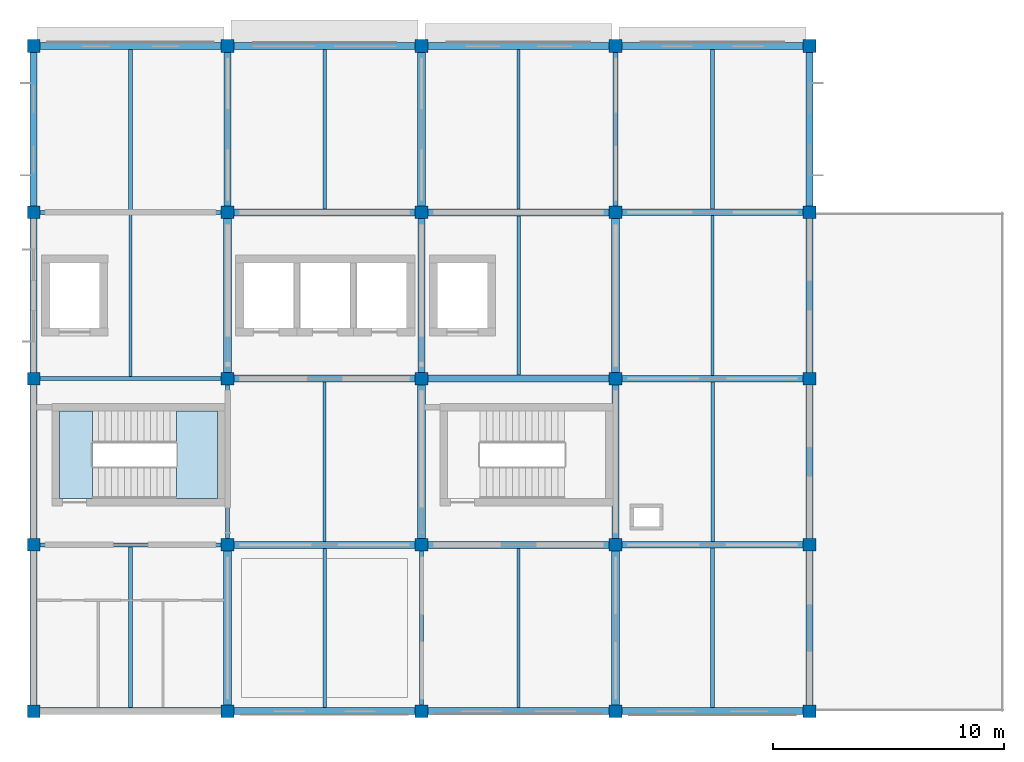
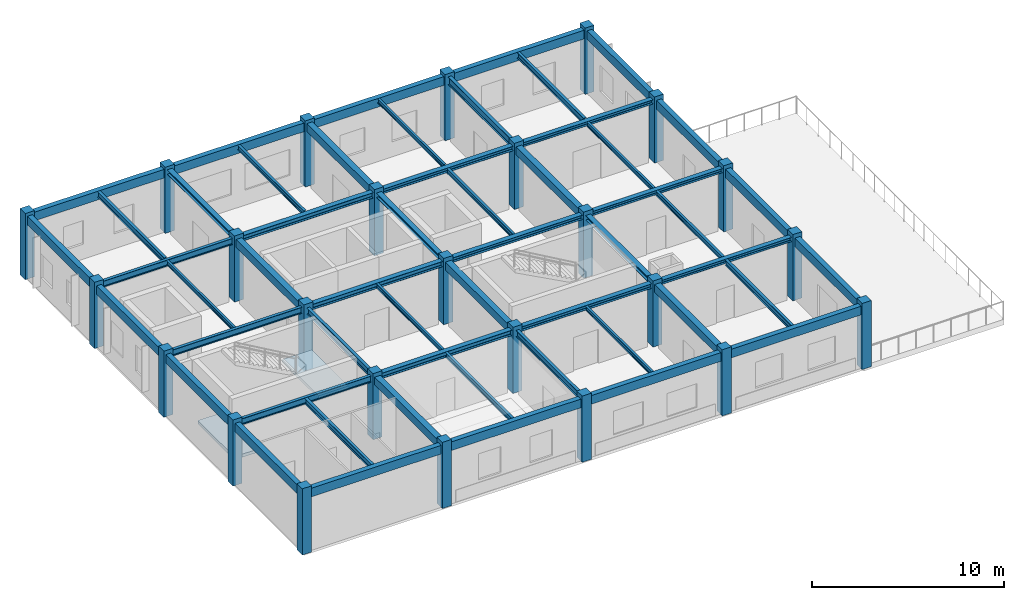
# One storey, part 1 of 6: 53 beams, 25 columns, 2 slabs, 1 element without a shape of its own.
"""IFC4 building model written with IfcOpenShell, lengths in metres."""

import ifcopenshell
import ifcopenshell.guid

model = None  # the IFC model being written
_history = None  # IfcOwnerHistory: only IFC2X3 demands one
_inside = {}  # id of a spatial element -> (the spatial element, [elements in it])
_under = {}  # id of a project, library or spatial element -> (it, [spatial elements below it])
_declared = {}  # id of a project -> (the project, [libraries it declares])
_typed = {}  # id of a type object -> (the type object, [elements of that type])
_made_of = {}  # id of a material, layer set ... -> (it, [elements and type objects made of it])


def new_model(schema):
    """Start an empty IFC model of exactly this schema.

    Asked for "IFC4X3", IfcOpenShell would pick the latest addendum, in which some entities
    have other attributes; the version numbers below select the first issue.
    IFC2X3 requires an IfcOwnerHistory on every rooted entity: one is made here for all.
    """
    global model, _history
    if schema == "IFC4X3":
        model = ifcopenshell.file(schema_version=(4, 3, 0, 0))
    else:
        model = ifcopenshell.file(schema=schema)
    _inside.clear()
    _under.clear()
    _declared.clear()
    _typed.clear()
    _made_of.clear()
    _history = None
    if model.schema == "IFC2X3":
        org = make("IfcOrganization", Name="unknown")
        user = make(
            "IfcPersonAndOrganization",
            ThePerson=make("IfcPerson", FamilyName="unknown"),
            TheOrganization=org,
        )
        app = make(
            "IfcApplication",
            ApplicationDeveloper=org,
            Version="unknown",
            ApplicationFullName="unknown",
            ApplicationIdentifier="unknown",
        )
        _history = make(
            "IfcOwnerHistory",
            OwningUser=user,
            OwningApplication=app,
            ChangeAction="ADDED",
            CreationDate=0,
        )
    return model


def make(cls, **values):
    """One entity of the class cls with the attributes given. An attribute that is None is left unset."""
    return model.create_entity(
        cls, **{name: value for name, value in values.items() if value is not None}
    )


def rooted(cls, **values):
    """An entity with a GlobalId (a new one), such as an element, a storey or a relation."""
    return make(cls, GlobalId=ifcopenshell.guid.new(), OwnerHistory=_history, **values)


def si_unit(unit_type, name, prefix=None):
    """IfcSIUnit, for example si_unit("LENGTHUNIT", "METRE", prefix="MILLI")."""
    return make("IfcSIUnit", UnitType=unit_type, Prefix=prefix, Name=name)


def derived_unit(unit_type, elements):
    """IfcDerivedUnit: a product of units, each with its exponent."""
    return make(
        "IfcDerivedUnit",
        Elements=[
            make("IfcDerivedUnitElement", Unit=unit, Exponent=power)
            for unit, power in elements
        ],
        UnitType=unit_type,
    )


def assignment(units):
    """IfcUnitAssignment: the units of a project."""
    return None if units is None else make("IfcUnitAssignment", Units=units)


def point(xyz):
    """IfcCartesianPoint."""
    return None if xyz is None else make("IfcCartesianPoint", Coordinates=xyz)


def direction(xyz):
    """IfcDirection."""
    return None if xyz is None else make("IfcDirection", DirectionRatios=xyz)


def frame(location, z_axis=None, x_axis=None):
    """IfcAxis2Placement3D, a coordinate frame: its origin and axes. An axis left out is left unset."""
    return make(
        "IfcAxis2Placement3D",
        Location=point(location),
        Axis=direction(z_axis),
        RefDirection=direction(x_axis),
    )


def frame_2d(location, x_axis=None):
    """IfcAxis2Placement2D, a coordinate frame in the plane: its origin and x axis."""
    return make(
        "IfcAxis2Placement2D", Location=point(location), RefDirection=direction(x_axis)
    )


def origin():
    """The frame at (0, 0, 0) with its axes left unset."""
    return frame((0.0, 0.0, 0.0))


def origin_2d():
    """The frame at (0, 0) in the plane with its x axis left unset."""
    return frame_2d((0.0, 0.0))


def place(relative_to, where):
    """IfcLocalPlacement: puts the frame where relative to a parent placement (None: the world)."""
    return make(
        "IfcLocalPlacement", PlacementRelTo=relative_to, RelativePlacement=where
    )


def context(
    kind, dimensions, precision=None, world=None, true_north=None, identifier=None
):
    """IfcGeometricRepresentationContext, for example the 3D "Model" context."""
    return make(
        "IfcGeometricRepresentationContext",
        ContextIdentifier=identifier,
        ContextType=kind,
        CoordinateSpaceDimension=dimensions,
        Precision=precision,
        WorldCoordinateSystem=world,
        TrueNorth=true_north,
    )


def subcontext(parent, identifier, kind, view, scale=None):
    """IfcGeometricRepresentationSubContext, for example "Body" below "Model"."""
    return make(
        "IfcGeometricRepresentationSubContext",
        ContextIdentifier=identifier,
        ContextType=kind,
        ParentContext=parent,
        TargetScale=scale,
        TargetView=view,
    )


def project(units=None, contexts=None):
    """IfcProject with its units and contexts."""
    return rooted(
        "IfcProject",
        Name="project",
        RepresentationContexts=contexts,
        UnitsInContext=assignment(units),
    )


def spatial(cls, under=None, at=None, **own):
    """A site, building, storey or space (cls), placed at a placement, below another one or the project."""
    s = rooted(cls, ObjectPlacement=at, **own)
    if under is not None:
        _under.setdefault(under.id(), (under, []))[1].append(s)
    return s


def polyline(points):
    """IfcPolyline through the points."""
    return make("IfcPolyline", Points=[point(p) for p in points])


def profile(cls, at=None, kind="AREA", **sizes):
    """A parametric profile (cls). Its sizes go by their IFC names, for example OverallWidth=200.0."""
    return make(cls, ProfileType=kind, Position=at, **sizes)


def rectangle(**sizes):
    """IfcRectangleProfileDef."""
    return profile("IfcRectangleProfileDef", **sizes)


def i_section(**sizes):
    """IfcIShapeProfileDef."""
    return profile("IfcIShapeProfileDef", **sizes)


def outline(outer, holes=None, kind="AREA"):
    """IfcArbitraryClosedProfileDef: a profile drawn as a closed curve; with holes, ...WithVoids."""
    if holes is None:
        return make("IfcArbitraryClosedProfileDef", ProfileType=kind, OuterCurve=outer)
    return make(
        "IfcArbitraryProfileDefWithVoids",
        ProfileType=kind,
        OuterCurve=outer,
        InnerCurves=holes,
    )


def extrude(swept, where, along, depth):
    """IfcExtrudedAreaSolid: the profile swept, set in the frame where, extruded along a direction by depth."""
    return make(
        "IfcExtrudedAreaSolid",
        SweptArea=swept,
        Position=where,
        ExtrudedDirection=direction(along),
        Depth=depth,
    )


def shape(context_of_items, identifier, shape_type, items):
    """IfcShapeRepresentation: the items that make up one representation, for example the "Body"."""
    return make(
        "IfcShapeRepresentation",
        ContextOfItems=context_of_items,
        RepresentationIdentifier=identifier,
        RepresentationType=shape_type,
        Items=items,
    )


def material(Name=None, Category=None):
    """IfcMaterial."""
    return make("IfcMaterial", Name=Name, Category=Category)


def layer(
    of_material, thickness, ventilated=None, Name=None, Category=None, Priority=None
):
    """IfcMaterialLayer: one layer of a wall or slab, of a material (None: an air gap)."""
    return make(
        "IfcMaterialLayer",
        Material=of_material,
        LayerThickness=thickness,
        IsVentilated=ventilated,
        Name=Name,
        Category=Category,
        Priority=Priority,
    )


def layer_set(layers, Name=None):
    """IfcMaterialLayerSet."""
    return make("IfcMaterialLayerSet", MaterialLayers=layers, LayerSetName=Name)


def material_profile(
    of_material, cross_section, Name=None, Category=None, Priority=None
):
    """IfcMaterialProfile: a cross section and its material."""
    return make(
        "IfcMaterialProfile",
        Name=Name,
        Material=of_material,
        Profile=cross_section,
        Priority=Priority,
        Category=Category,
    )


def profile_set(profiles, Name=None, composite=None):
    """IfcMaterialProfileSet."""
    return make(
        "IfcMaterialProfileSet",
        Name=Name,
        MaterialProfiles=profiles,
        CompositeProfile=composite,
    )


def made_of(thing, what):
    """Note that an element or type object is made of a material, layer set ...; save() writes the relation."""
    if what is not None:
        _made_of.setdefault(what.id(), (what, []))[1].append(thing)
    return thing


def type_object(cls, material=None, **own):
    """A type object (cls), such as IfcWallType, which elements share."""
    return made_of(rooted(cls, **own), material)


def element(
    cls,
    number,
    at=None,
    inside=None,
    cuts=None,
    type_object=None,
    material=None,
    context=None,
    identifier="Body",
    shape_type=None,
    held_by="IfcProductDefinitionShape",
    body=None,
    shapes=None,
    **own,
):
    """One element of the class cls, such as IfcWall. Its Tag is "e" and its number.

    at: its placement. inside: the storey or other place that contains it. cuts: it is an
    opening in that element (IfcRelVoidsElement). A single representation is given by context,
    identifier, shape_type and body (its items); several are given by shapes. held_by: the class
    of the entity that holds the representations. save() writes the other relations.
    """
    e = rooted(cls, Tag="e%d" % number, ObjectPlacement=at, **own)
    if body is not None:
        shapes = [shape(context, identifier, shape_type, body)]
    if shapes is not None:
        e.Representation = make(held_by, Representations=shapes)
    if inside is not None:
        _inside.setdefault(inside.id(), (inside, []))[1].append(e)
    if cuts is not None:
        rooted(
            "IfcRelVoidsElement", RelatingBuildingElement=cuts, RelatedOpeningElement=e
        )
    if type_object is not None:
        _typed.setdefault(type_object.id(), (type_object, []))[1].append(e)
    return made_of(e, material)


def aggregate(whole, parts):
    """IfcRelAggregates: a whole, such as a stair, and the parts it consists of."""
    return rooted("IfcRelAggregates", RelatingObject=whole, RelatedObjects=parts)


def save(model, path):
    """Write the relations noted so far, then the file.

    IfcRelAggregates (storeys below a building ...), IfcRelContainedInSpatialStructure (elements
    in a storey), IfcRelDefinesByType, IfcRelAssociatesMaterial and IfcRelDeclares: one each for
    every whole, place, type object, material and project.
    """
    for whole, parts in _under.values():
        aggregate(whole, parts)
    for where, things in _inside.values():
        rooted(
            "IfcRelContainedInSpatialStructure",
            RelatedElements=things,
            RelatingStructure=where,
        )
    for kind, things in _typed.values():
        rooted("IfcRelDefinesByType", RelatedObjects=things, RelatingType=kind)
    for what, things in _made_of.values():
        rooted("IfcRelAssociatesMaterial", RelatedObjects=things, RelatingMaterial=what)
    for by, libraries in _declared.values():
        rooted("IfcRelDeclares", RelatingContext=by, RelatedDefinitions=libraries)
    model.write(path)


model = new_model("IFC4")

# Units and contexts
model_context = context("Model", 3, precision=1e-05, world=origin(), true_north=direction((0.0, 1.0)))
body_context = subcontext(model_context, "Body", "Model", "MODEL_VIEW")
ifc_project = project(units=[si_unit("LENGTHUNIT", "METRE"), si_unit("AREAUNIT", "SQUARE_METRE"), si_unit("VOLUMEUNIT", "CUBIC_METRE"), si_unit("PLANEANGLEUNIT", "RADIAN"), si_unit("MASSUNIT", "GRAM", prefix="KILO"), derived_unit("THERMALTRANSMITTANCEUNIT", [(si_unit("MASSUNIT", "GRAM", prefix="KILO"), 1), (si_unit("TIMEUNIT", "SECOND"), -3), (si_unit("THERMODYNAMICTEMPERATUREUNIT", "KELVIN"), -1)])], contexts=[model_context])

# Site, building, storey
site_placement = place(None, origin())
site = spatial("IfcSite", under=ifc_project, at=site_placement, CompositionType="ELEMENT")
building_placement = place(site_placement, origin())
building = spatial("IfcBuilding", under=site, at=building_placement, Name="Veldstrom Oceanarium and Marine Research Institute", CompositionType="ELEMENT")
storey_placement = place(building_placement, frame((0.0, 0.0, 60.60009765625)))
storey = spatial("IfcBuildingStorey", under=building, at=storey_placement, Name="L13", CompositionType="ELEMENT", Elevation=60.60009765625)

# Columns
ifc_material_1 = material(Name="Concrete C50/60", Category="concrete")
ifc_material_profile_1 = material_profile(ifc_material_1, rectangle(XDim=0.550048828125, YDim=0.550048828125, at=origin_2d()), Name="RC-COL-550x550")
ifc_profile_set_1 = profile_set([ifc_material_profile_1], Name="Concrete C50/60")
column_type = type_object("IfcColumnType", Name="STR-COL-C09", PredefinedType="COLUMN", material=ifc_profile_set_1)
for number, where, z_axis, x_axis, name in (
    (1, (75.60009765625, 43.199951171875, 0.0), (0.0, 0.0, 1.0), (1.0, 0.0, 0.0), "Column C09 10/G L13"),
    (2, (75.60009765625, 50.39990234375, 0.0), (0.0, 0.0, 1.0), (1.0, 0.0, 0.0), "Column C09 10/H L13"),
    (3, (75.60009765625, 57.60009765625, 0.0), (0.0, 0.0, 1.0), (1.0, 0.0, 0.0), "Column C09 10/J L13"),
    (4, (75.60009765625, 64.800048828125, 0.0), (0.0, 0.0, 1.0), (1.0, 0.0, 0.0), "Column C09 10/K L13"),
    (5, (75.60009765625, 72.0, 0.0), (0.0, 0.0, 1.0), (1.0, 0.0, 0.0), "Column C09 10/L L13"),
    (6, (84.0, 43.199951171875, 0.0), (0.0, 0.0, 1.0), (1.0, 0.0, 0.0), "Column C09 11/G L13"),
    (7, (84.0, 50.39990234375, 0.0), (0.0, 0.0, 1.0), (1.0, 0.0, 0.0), "Column C09 11/H L13"),
    (8, (84.0, 57.60009765625, 0.0), (0.0, 0.0, 1.0), (1.0, 0.0, 0.0), "Column C09 11/J L13"),
    (9, (84.0, 64.800048828125, 0.0), (0.0, 0.0, 1.0), (1.0, 0.0, 0.0), "Column C09 11/K L13"),
    (10, (84.0, 72.0, 0.0), (0.0, 0.0, 1.0), (1.0, 0.0, 0.0), "Column C09 11/L L13"),
    (11, (92.39990234375, 43.199951171875, 0.0), (0.0, 0.0, 1.0), (1.0, 0.0, 0.0), "Column C09 12/G L13"),
    (12, (92.39990234375, 50.39990234375, 0.0), (0.0, 0.0, 1.0), (1.0, 0.0, 0.0), "Column C09 12/H L13"),
    (13, (92.39990234375, 57.60009765625, 0.0), (0.0, 0.0, 1.0), (1.0, 0.0, 0.0), "Column C09 12/J L13"),
    (14, (92.39990234375, 64.800048828125, 0.0), (0.0, 0.0, 1.0), (1.0, 0.0, 0.0), "Column C09 12/K L13"),
    (15, (92.39990234375, 72.0, 0.0), (0.0, 0.0, 1.0), (1.0, 0.0, 0.0), "Column C09 12/L L13"),
    (16, (100.800048828125, 43.199951171875, 0.0), (0.0, 0.0, 1.0), (1.0, 0.0, 0.0), "Column C09 13/G L13"),
    (17, (100.800048828125, 50.39990234375, 0.0), (0.0, 0.0, 1.0), (1.0, 0.0, 0.0), "Column C09 13/H L13"),
    (18, (100.800048828125, 57.60009765625, 0.0), (0.0, 0.0, 1.0), (1.0, 0.0, 0.0), "Column C09 13/J L13"),
    (19, (100.800048828125, 64.800048828125, 0.0), (0.0, 0.0, 1.0), (1.0, 0.0, 0.0), "Column C09 13/K L13"),
    (20, (100.800048828125, 72.0, 0.0), (0.0, 0.0, 1.0), (1.0, 0.0, 0.0), "Column C09 13/L L13"),
    (21, (109.199951171875, 43.199951171875, 0.0), (0.0, 0.0, 1.0), (1.0, 0.0, 0.0), "Column C09 14/G L13"),
    (22, (109.199951171875, 50.39990234375, 0.0), (0.0, 0.0, 1.0), (1.0, 0.0, 0.0), "Column C09 14/H L13"),
    (23, (109.199951171875, 57.60009765625, 0.0), (0.0, 0.0, 1.0), (1.0, 0.0, 0.0), "Column C09 14/J L13"),
    (24, (109.199951171875, 64.800048828125, 0.0), (0.0, 0.0, 1.0), (1.0, 0.0, 0.0), "Column C09 14/K L13"),
    (25, (109.199951171875, 72.0, 0.0), (0.0, 0.0, 1.0), (1.0, 0.0, 0.0), "Column C09 14/L L13"),
):
    element("IfcColumn", number, at=place(storey_placement, frame(where, z_axis=z_axis, x_axis=x_axis)), inside=storey, type_object=column_type, Name=name, PredefinedType="COLUMN", context=body_context, shape_type="SweptSolid", body=[
        extrude(rectangle(XDim=0.550048828125, YDim=0.550048828125, at=origin_2d()), origin(), (0.0, 0.0, 1.0), 4.199951171875),
    ])

# Beams
ifc_material_2 = material(Name="Concrete C40/50", Category="concrete")
ifc_material_profile_2 = material_profile(ifc_material_2, rectangle(XDim=0.35009765625, YDim=0.5, at=origin_2d()), Name="RC-BM-350x500")
ifc_profile_set_2 = profile_set([ifc_material_profile_2], Name="Concrete C40/50")
beam_type_1 = type_object("IfcBeamType", Name="STR-BM-B08", PredefinedType="BEAM", material=ifc_profile_set_2)
for number, where, z_axis, x_axis, name in (
    (26, (84.0, 43.199951171875, 3.69482421875), (0.0, 1.0, 0.0), (-1.0, 0.0, 0.0), "Primary Beam B08 L13-2745"),
    (27, (84.0, 57.60009765625, 3.69482421875), (0.0, 1.0, 0.0), (-1.0, 0.0, 0.0), "Primary Beam B08 L13-2747"),
):
    element("IfcBeam", number, at=place(storey_placement, frame(where, z_axis=z_axis, x_axis=x_axis)), inside=storey, type_object=beam_type_1, Name=name, PredefinedType="BEAM", context=body_context, shape_type="SweptSolid", body=[
        extrude(rectangle(XDim=0.35009765625, YDim=0.5, at=origin_2d()), origin(), (0.0, 0.0, 1.0), 7.199951171875),
    ])
beam_1_placement = place(storey_placement, frame((92.39990234375, 50.39990234375, 3.69482421875), z_axis=(0.0, 1.0, 0.0), x_axis=(-1.0, 0.0, 0.0)))
element("IfcBeam", 28, at=beam_1_placement, inside=storey, type_object=beam_type_1, Name="Primary Beam B08 L13-2750", PredefinedType="BEAM", context=body_context, shape_type="SweptSolid", body=[
    extrude(rectangle(XDim=0.35009765625, YDim=0.5, at=origin_2d()), origin(), (0.0, 0.0, 1.0), 7.2001953125),
])
for number, where, z_axis, x_axis, name in (
    (29, (92.39990234375, 64.800048828125, 3.744873046875), (0.0, 1.0, 0.0), (-1.0, 0.0, 0.0), "Primary Beam B08 L13-2752"),
    (30, (100.800048828125, 43.199951171875, 3.69482421875), (0.0, 1.0, 0.0), (-1.0, 0.0, 0.0), "Primary Beam B08 L13-2753"),
    (31, (100.800048828125, 57.60009765625, 3.69482421875), (0.0, 1.0, 0.0), (-1.0, 0.0, 0.0), "Primary Beam B08 L13-2755"),
):
    element("IfcBeam", number, at=place(storey_placement, frame(where, z_axis=z_axis, x_axis=x_axis)), inside=storey, type_object=beam_type_1, Name=name, PredefinedType="BEAM", context=body_context, shape_type="SweptSolid", body=[
        extrude(rectangle(XDim=0.35009765625, YDim=0.5, at=origin_2d()), origin(), (0.0, 0.0, 1.0), 7.199951171875),
    ])
ifc_material_3 = material(Name="Steel S355JR", Category="steel")
ifc_material_profile_3 = material_profile(ifc_material_3, i_section(OverallWidth=0.300048828125, OverallDepth=0.2900390625, WebThickness=0.008544921875, FlangeThickness=0.013916015625, FilletRadius=0.027099609375, at=origin_2d()), Name="HEA 300")
ifc_profile_set_3 = profile_set([ifc_material_profile_3], Name="Steel S355JR")
beam_type_2 = type_object("IfcBeamType", Name="STR-BM-SB10", PredefinedType="BEAM", material=ifc_profile_set_3)
for number, where, z_axis, x_axis, name in (
    (32, (92.39990234375, 50.39990234375, 3.7998046875), (1.0, 0.0, 0.0), (0.0, 1.0, 0.0), "Steel Floor Girder SB10 L13-2732"),
    (33, (92.39990234375, 57.60009765625, 3.7998046875), (1.0, 0.0, 0.0), (0.0, 1.0, 0.0), "Steel Floor Girder SB10 L13-2733"),
    (34, (92.39990234375, 64.800048828125, 3.7998046875), (1.0, 0.0, 0.0), (0.0, 1.0, 0.0), "Steel Floor Girder SB10 L13-2734"),
):
    element("IfcBeam", number, at=place(storey_placement, frame(where, z_axis=z_axis, x_axis=x_axis)), inside=storey, type_object=beam_type_2, Name=name, PredefinedType="BEAM", context=body_context, shape_type="SweptSolid", body=[
        extrude(i_section(OverallWidth=0.300048828125, OverallDepth=0.2900390625, WebThickness=0.008544921875, FlangeThickness=0.013916015625, FilletRadius=0.027099609375, at=origin_2d()), origin(), (0.0, 0.0, 1.0), 8.400146484375),
    ])
for number, where, z_axis, x_axis, name in (
    (35, (84.0, 64.800048828125, 3.849853515625), (0.0, 1.0, 0.0), (-1.0, 0.0, 0.0), "Steel Tie Beam SB10 L13-2748"),
    (36, (92.39990234375, 57.60009765625, 3.7998046875), (0.0, 1.0, 0.0), (-1.0, 0.0, 0.0), "Steel Tie Beam SB10 L13-2751"),
):
    element("IfcBeam", number, at=place(storey_placement, frame(where, z_axis=z_axis, x_axis=x_axis)), inside=storey, type_object=beam_type_2, Name=name, PredefinedType="BEAM", context=body_context, shape_type="SweptSolid", body=[
        extrude(i_section(OverallWidth=0.300048828125, OverallDepth=0.2900390625, WebThickness=0.008544921875, FlangeThickness=0.013916015625, FilletRadius=0.027099609375, at=origin_2d()), origin(), (0.0, 0.0, 1.0), 7.199951171875),
    ])
beam_2_placement = place(storey_placement, frame((100.800048828125, 50.39990234375, 3.7998046875), z_axis=(0.0, 1.0, 0.0), x_axis=(-1.0, 0.0, 0.0)))
element("IfcBeam", 37, at=beam_2_placement, inside=storey, type_object=beam_type_2, Name="Steel Tie Beam SB10 L13-2754", PredefinedType="BEAM", context=body_context, shape_type="SweptSolid", body=[
    extrude(i_section(OverallWidth=0.300048828125, OverallDepth=0.2900390625, WebThickness=0.008544921875, FlangeThickness=0.013916015625, FilletRadius=0.027099609375, at=origin_2d()), origin(), (0.0, 0.0, 1.0), 7.2001953125),
])
ifc_material_4 = material(Name="Steel S355JR", Category="steel")
ifc_material_profile_4 = material_profile(ifc_material_4, i_section(OverallWidth=0.280029296875, OverallDepth=0.27001953125, WebThickness=0.008056640625, FlangeThickness=0.012939453125, FilletRadius=0.02392578125, at=origin_2d()), Name="HEA 280")
ifc_profile_set_4 = profile_set([ifc_material_profile_4], Name="Steel S355JR")
beam_type_3 = type_object("IfcBeamType", Name="STR-BM-SB11", PredefinedType="BEAM", material=ifc_profile_set_4)
for number, where, z_axis, x_axis, name in (
    (38, (100.800048828125, 50.39990234375, 3.809814453125), (1.0, 0.0, 0.0), (0.0, 1.0, 0.0), "Steel Floor Girder SB11 L13-2737"),
    (39, (100.800048828125, 57.60009765625, 3.809814453125), (1.0, 0.0, 0.0), (0.0, 1.0, 0.0), "Steel Floor Girder SB11 L13-2738"),
    (40, (100.800048828125, 64.800048828125, 3.809814453125), (1.0, 0.0, 0.0), (0.0, 1.0, 0.0), "Steel Floor Girder SB11 L13-2739"),
):
    element("IfcBeam", number, at=place(storey_placement, frame(where, z_axis=z_axis, x_axis=x_axis)), inside=storey, type_object=beam_type_3, Name=name, PredefinedType="BEAM", context=body_context, shape_type="SweptSolid", body=[
        extrude(i_section(OverallWidth=0.280029296875, OverallDepth=0.27001953125, WebThickness=0.008056640625, FlangeThickness=0.012939453125, FilletRadius=0.02392578125, at=origin_2d()), origin(), (0.0, 0.0, 1.0), 8.39990234375),
    ])
ifc_material_5 = material(Name="Steel S355JR", Category="steel")
ifc_material_profile_5 = material_profile(ifc_material_5, i_section(OverallWidth=0.199951171875, OverallDepth=0.5, WebThickness=0.01025390625, FlangeThickness=0.01611328125, FilletRadius=0.02099609375, at=origin_2d()), Name="IPE 500")
ifc_profile_set_5 = profile_set([ifc_material_profile_5], Name="Steel S355JR")
beam_type_4 = type_object("IfcBeamType", Name="STR-BM-SB6", PredefinedType="BEAM", material=ifc_profile_set_5)
beam_3_placement = place(storey_placement, frame((100.800048828125, 64.800048828125, 3.744873046875), z_axis=(0.0, 1.0, 0.0), x_axis=(-1.0, 0.0, 0.0)))
element("IfcBeam", 41, at=beam_3_placement, inside=storey, type_object=beam_type_4, Name="Steel Tie Beam SB6 L13-2756", PredefinedType="BEAM", context=body_context, shape_type="SweptSolid", body=[
    extrude(i_section(OverallWidth=0.199951171875, OverallDepth=0.5, WebThickness=0.01025390625, FlangeThickness=0.01611328125, FilletRadius=0.02099609375, at=origin_2d()), origin(), (0.0, 0.0, 1.0), 7.199951171875),
])
ifc_material_6 = material(Name="Steel S355JR", Category="steel")
ifc_material_profile_6 = material_profile(ifc_material_6, i_section(OverallWidth=0.179931640625, OverallDepth=0.39990234375, WebThickness=0.008544921875, FlangeThickness=0.013427734375, FilletRadius=0.02099609375, at=origin_2d()), Name="IPE 400")
ifc_profile_set_6 = profile_set([ifc_material_profile_6], Name="Steel S355JR")
beam_type_5 = type_object("IfcBeamType", Name="STR-BM-SB8", PredefinedType="BEAM", material=ifc_profile_set_6)
for number, where, z_axis, x_axis, name in (
    (42, (75.60009765625, 50.39990234375, 3.744873046875), (1.0, 0.0, 0.0), (0.0, 1.0, 0.0), "Steel Floor Girder SB8 L13-2722"),
    (43, (75.60009765625, 57.60009765625, 3.744873046875), (1.0, 0.0, 0.0), (0.0, 1.0, 0.0), "Steel Floor Girder SB8 L13-2723"),
    (44, (75.60009765625, 64.800048828125, 3.744873046875), (1.0, 0.0, 0.0), (0.0, 1.0, 0.0), "Steel Floor Girder SB8 L13-2724"),
):
    element("IfcBeam", number, at=place(storey_placement, frame(where, z_axis=z_axis, x_axis=x_axis)), inside=storey, type_object=beam_type_5, Name=name, PredefinedType="BEAM", context=body_context, shape_type="SweptSolid", body=[
        extrude(i_section(OverallWidth=0.179931640625, OverallDepth=0.39990234375, WebThickness=0.008544921875, FlangeThickness=0.013427734375, FilletRadius=0.02099609375, at=origin_2d()), origin(), (0.0, 0.0, 1.0), 8.39990234375),
    ])
beam_4_placement = place(storey_placement, frame((84.0, 50.39990234375, 3.744873046875), z_axis=(0.0, 1.0, 0.0), x_axis=(-1.0, 0.0, 0.0)))
element("IfcBeam", 45, at=beam_4_placement, inside=storey, type_object=beam_type_5, Name="Steel Tie Beam SB8 L13-2746", PredefinedType="BEAM", context=body_context, shape_type="SweptSolid", body=[
    extrude(i_section(OverallWidth=0.179931640625, OverallDepth=0.39990234375, WebThickness=0.008544921875, FlangeThickness=0.013427734375, FilletRadius=0.02099609375, at=origin_2d()), origin(), (0.0, 0.0, 1.0), 7.2001953125),
])
beam_5_placement = place(storey_placement, frame((92.39990234375, 43.199951171875, 3.744873046875), z_axis=(0.0, 1.0, 0.0), x_axis=(-1.0, 0.0, 0.0)))
element("IfcBeam", 46, at=beam_5_placement, inside=storey, type_object=beam_type_5, Name="Steel Tie Beam SB8 L13-2749", PredefinedType="BEAM", context=body_context, shape_type="SweptSolid", body=[
    extrude(i_section(OverallWidth=0.179931640625, OverallDepth=0.39990234375, WebThickness=0.008544921875, FlangeThickness=0.013427734375, FilletRadius=0.02099609375, at=origin_2d()), origin(), (0.0, 0.0, 1.0), 7.199951171875),
])
ifc_material_7 = material(Name="Steel S355JR", Category="steel")
ifc_material_profile_7 = material_profile(ifc_material_7, i_section(OverallWidth=0.300048828125, OverallDepth=0.35009765625, WebThickness=0.010009765625, FlangeThickness=0.017578125, FilletRadius=0.027099609375, at=origin_2d()), Name="HEA 360")
ifc_profile_set_7 = profile_set([ifc_material_profile_7], Name="Steel S355JR")
beam_type_6 = type_object("IfcBeamType", Name="STR-BM-SB9", PredefinedType="BEAM", material=ifc_profile_set_7)
for number, where, z_axis, x_axis, name in (
    (47, (84.0, 50.39990234375, 3.77001953125), (1.0, 0.0, 0.0), (0.0, 1.0, 0.0), "Steel Floor Girder SB9 L13-2727"),
    (48, (84.0, 57.60009765625, 3.77001953125), (1.0, 0.0, 0.0), (0.0, 1.0, 0.0), "Steel Floor Girder SB9 L13-2728"),
    (49, (84.0, 64.800048828125, 3.77001953125), (1.0, 0.0, 0.0), (0.0, 1.0, 0.0), "Steel Floor Girder SB9 L13-2729"),
):
    element("IfcBeam", number, at=place(storey_placement, frame(where, z_axis=z_axis, x_axis=x_axis)), inside=storey, type_object=beam_type_6, Name=name, PredefinedType="BEAM", context=body_context, shape_type="SweptSolid", body=[
        extrude(i_section(OverallWidth=0.300048828125, OverallDepth=0.35009765625, WebThickness=0.010009765625, FlangeThickness=0.017578125, FilletRadius=0.027099609375, at=origin_2d()), origin(), (0.0, 0.0, 1.0), 8.39990234375),
    ])
ifc_material_8 = material(Name="Steel S355JR", Category="steel")
ifc_material_profile_8 = material_profile(ifc_material_8, i_section(OverallWidth=0.169921875, OverallDepth=0.360107421875, WebThickness=0.008056640625, FlangeThickness=0.0126953125, FilletRadius=0.01806640625, at=origin_2d()), Name="IPE 360")
ifc_profile_set_8 = profile_set([ifc_material_profile_8], Name="Steel S355JR")
beam_type_7 = type_object("IfcBeamType", Name="STR-JST-SJ1", PredefinedType="JOIST", material=ifc_profile_set_8)
beam_6_placement = place(storey_placement, frame((79.800048828125, 43.35009765625, 3.764892578125), z_axis=(0.0, 1.0, 0.0), x_axis=(-1.0, 0.0, 0.0)))
element("IfcBeam", 50, at=beam_6_placement, inside=storey, type_object=beam_type_7, Name="Secondary Joist SJ1 L13-2761", PredefinedType="JOIST", context=body_context, shape_type="SweptSolid", body=[
    extrude(i_section(OverallWidth=0.169921875, OverallDepth=0.360107421875, WebThickness=0.008056640625, FlangeThickness=0.0126953125, FilletRadius=0.01806640625, at=origin_2d()), origin(), (0.0, 0.0, 1.0), 6.9599609375),
])
beam_7_placement = place(storey_placement, frame((79.800048828125, 64.889892578125, 3.81494140625), z_axis=(0.0, 1.0, 0.0), x_axis=(-1.0, 0.0, 0.0)))
element("IfcBeam", 51, at=beam_7_placement, inside=storey, type_object=beam_type_7, Name="Secondary Joist SJ1 L13-2763", PredefinedType="JOIST", context=body_context, shape_type="SweptSolid", body=[
    extrude(i_section(OverallWidth=0.169921875, OverallDepth=0.360107421875, WebThickness=0.008056640625, FlangeThickness=0.0126953125, FilletRadius=0.01806640625, at=origin_2d()), origin(), (0.0, 0.0, 1.0), 6.960205078125),
])
beam_8_placement = place(storey_placement, frame((105.0, 43.35009765625, 3.764892578125), z_axis=(0.0, 1.0, 0.0), x_axis=(-1.0, 0.0, 0.0)))
element("IfcBeam", 52, at=beam_8_placement, inside=storey, type_object=beam_type_7, Name="Secondary Joist SJ1 L13-2770", PredefinedType="JOIST", context=body_context, shape_type="SweptSolid", body=[
    extrude(i_section(OverallWidth=0.169921875, OverallDepth=0.360107421875, WebThickness=0.008056640625, FlangeThickness=0.0126953125, FilletRadius=0.01806640625, at=origin_2d()), origin(), (0.0, 0.0, 1.0), 6.909912109375),
])
beam_9_placement = place(storey_placement, frame((105.0, 64.93994140625, 3.81494140625), z_axis=(0.0, 1.0, 0.0), x_axis=(-1.0, 0.0, 0.0)))
element("IfcBeam", 53, at=beam_9_placement, inside=storey, type_object=beam_type_7, Name="Secondary Joist SJ1 L13-2773", PredefinedType="JOIST", context=body_context, shape_type="SweptSolid", body=[
    extrude(i_section(OverallWidth=0.169921875, OverallDepth=0.360107421875, WebThickness=0.008056640625, FlangeThickness=0.0126953125, FilletRadius=0.01806640625, at=origin_2d()), origin(), (0.0, 0.0, 1.0), 6.91015625),
])
ifc_material_9 = material(Name="Steel S355JR", Category="steel")
ifc_material_profile_9 = material_profile(ifc_material_9, i_section(OverallWidth=0.14990234375, OverallDepth=0.300048828125, WebThickness=0.007080078125, FlangeThickness=0.0107421875, FilletRadius=0.014892578125, at=origin_2d()), Name="IPE 300")
ifc_profile_set_9 = profile_set([ifc_material_profile_9], Name="Steel S355JR")
beam_type_8 = type_object("IfcBeamType", Name="STR-JST-SJ2", PredefinedType="JOIST", material=ifc_profile_set_9)
beam_10_placement = place(storey_placement, frame((88.199951171875, 43.35009765625, 3.794921875), z_axis=(0.0, 1.0, 0.0), x_axis=(-1.0, 0.0, 0.0)))
element("IfcBeam", 54, at=beam_10_placement, inside=storey, type_object=beam_type_8, Name="Secondary Joist SJ2 L13-2764", PredefinedType="JOIST", context=body_context, shape_type="SweptSolid", body=[
    extrude(i_section(OverallWidth=0.14990234375, OverallDepth=0.300048828125, WebThickness=0.007080078125, FlangeThickness=0.0107421875, FilletRadius=0.014892578125, at=origin_2d()), origin(), (0.0, 0.0, 1.0), 6.89990234375),
])
beam_11_placement = place(storey_placement, frame((88.199951171875, 64.949951171875, 3.844970703125), z_axis=(0.0, 1.0, 0.0), x_axis=(-1.0, 0.0, 0.0)))
element("IfcBeam", 55, at=beam_11_placement, inside=storey, type_object=beam_type_8, Name="Secondary Joist SJ2 L13-2766", PredefinedType="JOIST", context=body_context, shape_type="SweptSolid", body=[
    extrude(i_section(OverallWidth=0.14990234375, OverallDepth=0.300048828125, WebThickness=0.007080078125, FlangeThickness=0.0107421875, FilletRadius=0.014892578125, at=origin_2d()), origin(), (0.0, 0.0, 1.0), 6.900146484375),
])
beam_12_placement = place(storey_placement, frame((96.60009765625, 57.75, 3.794921875), z_axis=(0.0, 1.0, 0.0), x_axis=(-1.0, 0.0, 0.0)))
element("IfcBeam", 56, at=beam_12_placement, inside=storey, type_object=beam_type_8, Name="Secondary Joist SJ2 L13-2768", PredefinedType="JOIST", context=body_context, shape_type="SweptSolid", body=[
    extrude(i_section(OverallWidth=0.14990234375, OverallDepth=0.300048828125, WebThickness=0.007080078125, FlangeThickness=0.0107421875, FilletRadius=0.014892578125, at=origin_2d()), origin(), (0.0, 0.0, 1.0), 6.89990234375),
])
beam_13_placement = place(storey_placement, frame((105.0, 50.5400390625, 3.794921875), z_axis=(0.0, 1.0, 0.0), x_axis=(-1.0, 0.0, 0.0)))
element("IfcBeam", 57, at=beam_13_placement, inside=storey, type_object=beam_type_8, Name="Secondary Joist SJ2 L13-2771", PredefinedType="JOIST", context=body_context, shape_type="SweptSolid", body=[
    extrude(i_section(OverallWidth=0.14990234375, OverallDepth=0.300048828125, WebThickness=0.007080078125, FlangeThickness=0.0107421875, FilletRadius=0.014892578125, at=origin_2d()), origin(), (0.0, 0.0, 1.0), 6.919921875),
])
ifc_material_10 = material(Name="Steel S355JR", Category="steel")
ifc_material_profile_10 = material_profile(ifc_material_10, i_section(OverallWidth=0.135009765625, OverallDepth=0.27001953125, WebThickness=0.006591796875, FlangeThickness=0.01025390625, FilletRadius=0.014892578125, at=origin_2d()), Name="IPE 270")
ifc_profile_set_10 = profile_set([ifc_material_profile_10], Name="Steel S355JR")
beam_type_9 = type_object("IfcBeamType", Name="STR-JST-SJ3", PredefinedType="JOIST", material=ifc_profile_set_10)
beam_14_placement = place(storey_placement, frame((79.800048828125, 57.68994140625, 3.809814453125), z_axis=(0.0, 1.0, 0.0), x_axis=(-1.0, 0.0, 0.0)))
element("IfcBeam", 58, at=beam_14_placement, inside=storey, type_object=beam_type_9, Name="Secondary Joist SJ3 L13-2762", PredefinedType="JOIST", context=body_context, shape_type="SweptSolid", body=[
    extrude(i_section(OverallWidth=0.135009765625, OverallDepth=0.27001953125, WebThickness=0.006591796875, FlangeThickness=0.01025390625, FilletRadius=0.014892578125, at=origin_2d()), origin(), (0.0, 0.0, 1.0), 7.02001953125),
])
for number, where, z_axis, x_axis, name in (
    (59, (88.199951171875, 50.550048828125, 3.809814453125), (0.0, 1.0, 0.0), (-1.0, 0.0, 0.0), "Secondary Joist SJ3 L13-2765"),
    (60, (96.60009765625, 43.35009765625, 3.809814453125), (0.0, 1.0, 0.0), (-1.0, 0.0, 0.0), "Secondary Joist SJ3 L13-2767"),
):
    element("IfcBeam", number, at=place(storey_placement, frame(where, z_axis=z_axis, x_axis=x_axis)), inside=storey, type_object=beam_type_9, Name=name, PredefinedType="JOIST", context=body_context, shape_type="SweptSolid", body=[
        extrude(i_section(OverallWidth=0.135009765625, OverallDepth=0.27001953125, WebThickness=0.006591796875, FlangeThickness=0.01025390625, FilletRadius=0.014892578125, at=origin_2d()), origin(), (0.0, 0.0, 1.0), 6.89990234375),
    ])
beam_15_placement = place(storey_placement, frame((96.60009765625, 64.949951171875, 3.85986328125), z_axis=(0.0, 1.0, 0.0), x_axis=(-1.0, 0.0, 0.0)))
element("IfcBeam", 61, at=beam_15_placement, inside=storey, type_object=beam_type_9, Name="Secondary Joist SJ3 L13-2769", PredefinedType="JOIST", context=body_context, shape_type="SweptSolid", body=[
    extrude(i_section(OverallWidth=0.135009765625, OverallDepth=0.27001953125, WebThickness=0.006591796875, FlangeThickness=0.01025390625, FilletRadius=0.014892578125, at=origin_2d()), origin(), (0.0, 0.0, 1.0), 6.900146484375),
])
beam_16_placement = place(storey_placement, frame((105.0, 57.739990234375, 3.809814453125), z_axis=(0.0, 1.0, 0.0), x_axis=(-1.0, 0.0, 0.0)))
element("IfcBeam", 62, at=beam_16_placement, inside=storey, type_object=beam_type_9, Name="Secondary Joist SJ3 L13-2772", PredefinedType="JOIST", context=body_context, shape_type="SweptSolid", body=[
    extrude(i_section(OverallWidth=0.135009765625, OverallDepth=0.27001953125, WebThickness=0.006591796875, FlangeThickness=0.01025390625, FilletRadius=0.014892578125, at=origin_2d()), origin(), (0.0, 0.0, 1.0), 6.919921875),
])
ifc_material_11 = material(Name="Concrete C40/50", Category="concrete")
ifc_material_profile_11 = material_profile(ifc_material_11, rectangle(XDim=0.300048828125, YDim=0.550048828125, at=origin_2d()), Name="RC-SPN-300x550")
ifc_profile_set_11 = profile_set([ifc_material_profile_11], Name="Concrete C40/50")
beam_type_10 = type_object("IfcBeamType", Name="STR-SPN-SP2", PredefinedType="SPANDREL", material=ifc_profile_set_11)
for number, where, z_axis, x_axis, name in (
    (63, (75.60009765625, 43.199951171875, 3.669921875), (1.0, 0.0, 0.0), (0.0, 1.0, 0.0), "Perimeter Spandrel SPB2 L13-2721"),
    (64, (75.60009765625, 72.0, 3.719970703125), (1.0, 0.0, 0.0), (0.0, 1.0, 0.0), "Perimeter Spandrel SPB2 L13-2725"),
    (65, (84.0, 43.199951171875, 3.669921875), (1.0, 0.0, 0.0), (0.0, 1.0, 0.0), "Perimeter Spandrel SPB2 L13-2726"),
    (66, (84.0, 72.0, 3.719970703125), (1.0, 0.0, 0.0), (0.0, 1.0, 0.0), "Perimeter Spandrel SPB2 L13-2730"),
):
    element("IfcBeam", number, at=place(storey_placement, frame(where, z_axis=z_axis, x_axis=x_axis)), inside=storey, type_object=beam_type_10, Name=name, PredefinedType="SPANDREL", context=body_context, shape_type="SweptSolid", body=[
        extrude(rectangle(XDim=0.300048828125, YDim=0.550048828125, at=origin_2d()), origin(), (0.0, 0.0, 1.0), 8.39990234375),
    ])
for number, where, z_axis, x_axis, name in (
    (67, (92.39990234375, 43.199951171875, 3.669921875), (1.0, 0.0, 0.0), (0.0, 1.0, 0.0), "Perimeter Spandrel SPB2 L13-2731"),
    (68, (92.39990234375, 72.0, 3.719970703125), (1.0, 0.0, 0.0), (0.0, 1.0, 0.0), "Perimeter Spandrel SPB2 L13-2735"),
):
    element("IfcBeam", number, at=place(storey_placement, frame(where, z_axis=z_axis, x_axis=x_axis)), inside=storey, type_object=beam_type_10, Name=name, PredefinedType="SPANDREL", context=body_context, shape_type="SweptSolid", body=[
        extrude(rectangle(XDim=0.300048828125, YDim=0.550048828125, at=origin_2d()), origin(), (0.0, 0.0, 1.0), 8.400146484375),
    ])
for number, where, z_axis, x_axis, name in (
    (69, (100.800048828125, 43.199951171875, 3.669921875), (1.0, 0.0, 0.0), (0.0, 1.0, 0.0), "Perimeter Spandrel SPB2 L13-2736"),
    (70, (100.800048828125, 72.0, 3.719970703125), (1.0, 0.0, 0.0), (0.0, 1.0, 0.0), "Perimeter Spandrel SPB2 L13-2740"),
):
    element("IfcBeam", number, at=place(storey_placement, frame(where, z_axis=z_axis, x_axis=x_axis)), inside=storey, type_object=beam_type_10, Name=name, PredefinedType="SPANDREL", context=body_context, shape_type="SweptSolid", body=[
        extrude(rectangle(XDim=0.300048828125, YDim=0.550048828125, at=origin_2d()), origin(), (0.0, 0.0, 1.0), 8.39990234375),
    ])
beam_17_placement = place(storey_placement, frame((75.60009765625, 43.199951171875, 3.669921875), z_axis=(0.0, 1.0, 0.0), x_axis=(-1.0, 0.0, 0.0)))
element("IfcBeam", 71, at=beam_17_placement, inside=storey, type_object=beam_type_10, Name="Perimeter Spandrel SPB2 L13-2741", PredefinedType="SPANDREL", context=body_context, shape_type="SweptSolid", body=[
    extrude(rectangle(XDim=0.300048828125, YDim=0.550048828125, at=origin_2d()), origin(), (0.0, 0.0, 1.0), 7.199951171875),
])
beam_18_placement = place(storey_placement, frame((75.60009765625, 50.39990234375, 3.669921875), z_axis=(0.0, 1.0, 0.0), x_axis=(-1.0, 0.0, 0.0)))
element("IfcBeam", 72, at=beam_18_placement, inside=storey, type_object=beam_type_10, Name="Perimeter Spandrel SPB2 L13-2742", PredefinedType="SPANDREL", context=body_context, shape_type="SweptSolid", body=[
    extrude(rectangle(XDim=0.300048828125, YDim=0.550048828125, at=origin_2d()), origin(), (0.0, 0.0, 1.0), 7.2001953125),
])
for number, where, z_axis, x_axis, name in (
    (73, (75.60009765625, 57.60009765625, 3.669921875), (0.0, 1.0, 0.0), (-1.0, 0.0, 0.0), "Perimeter Spandrel SPB2 L13-2743"),
    (74, (75.60009765625, 64.800048828125, 3.719970703125), (0.0, 1.0, 0.0), (-1.0, 0.0, 0.0), "Perimeter Spandrel SPB2 L13-2744"),
    (75, (109.199951171875, 43.199951171875, 3.669921875), (0.0, 1.0, 0.0), (-1.0, 0.0, 0.0), "Perimeter Spandrel SPB2 L13-2757"),
):
    element("IfcBeam", number, at=place(storey_placement, frame(where, z_axis=z_axis, x_axis=x_axis)), inside=storey, type_object=beam_type_10, Name=name, PredefinedType="SPANDREL", context=body_context, shape_type="SweptSolid", body=[
        extrude(rectangle(XDim=0.300048828125, YDim=0.550048828125, at=origin_2d()), origin(), (0.0, 0.0, 1.0), 7.199951171875),
    ])
beam_19_placement = place(storey_placement, frame((109.199951171875, 50.39990234375, 3.669921875), z_axis=(0.0, 1.0, 0.0), x_axis=(-1.0, 0.0, 0.0)))
element("IfcBeam", 76, at=beam_19_placement, inside=storey, type_object=beam_type_10, Name="Perimeter Spandrel SPB2 L13-2758", PredefinedType="SPANDREL", context=body_context, shape_type="SweptSolid", body=[
    extrude(rectangle(XDim=0.300048828125, YDim=0.550048828125, at=origin_2d()), origin(), (0.0, 0.0, 1.0), 7.2001953125),
])
for number, where, z_axis, x_axis, name in (
    (77, (109.199951171875, 57.60009765625, 3.669921875), (0.0, 1.0, 0.0), (-1.0, 0.0, 0.0), "Perimeter Spandrel SPB2 L13-2759"),
    (78, (109.199951171875, 64.800048828125, 3.719970703125), (0.0, 1.0, 0.0), (-1.0, 0.0, 0.0), "Perimeter Spandrel SPB2 L13-2760"),
):
    element("IfcBeam", number, at=place(storey_placement, frame(where, z_axis=z_axis, x_axis=x_axis)), inside=storey, type_object=beam_type_10, Name=name, PredefinedType="SPANDREL", context=body_context, shape_type="SweptSolid", body=[
        extrude(rectangle(XDim=0.300048828125, YDim=0.550048828125, at=origin_2d()), origin(), (0.0, 0.0, 1.0), 7.199951171875),
    ])

# Stair, slab
ifc_material_12 = material(Name="Concrete C40/50", Category="concrete")
stair_type = type_object("IfcStairType", Name="ARC-STR-ST-420", PredefinedType="TWO_STRAIGHT_RUN_STAIR", material=ifc_material_12)
stair_placement = place(storey_placement, origin())
stair = element("IfcStair", 79, at=stair_placement, inside=storey, type_object=stair_type, Name="Dog-Leg Escape Stair ST1-L13", PredefinedType="TWO_STRAIGHT_RUN_STAIR")
ifc_material_13 = material(Name="Concrete C40/50", Category="concrete")
ifc_layer_1 = layer(ifc_material_13, 0.179931640625)
ifc_layer_set_1 = layer_set([ifc_layer_1], Name="STR-SLB-LD180")
slab_type_1 = type_object("IfcSlabType", Name="STR-SLB-LD180", PredefinedType="LANDING", material=ifc_layer_set_1)
slab_1_placement = place(storey_placement, frame((0.0, 0.0, 1.919921875)))
slab_1 = element("IfcSlab", 80, at=slab_1_placement, type_object=slab_type_1, Name="Stair Half-Landing ST1 L13", PredefinedType="LANDING", context=body_context, shape_type="SweptSolid", body=[
    extrude(outline(polyline([(81.780029296875, 52.39990234375), (83.56005859375, 52.39990234375), (83.56005859375, 56.199951171875), (81.780029296875, 56.199951171875), (81.780029296875, 52.39990234375)])), origin(), (0.0, 0.0, 1.0), 0.179931640625),
])
aggregate(stair, [slab_1])

# Slab
ifc_material_14 = material(Name="Concrete C40/50", Category="concrete")
ifc_layer_2 = layer(ifc_material_14, 0.199951171875)
ifc_layer_set_2 = layer_set([ifc_layer_2], Name="STR-SLB-LD200")
slab_type_2 = type_object("IfcSlabType", Name="STR-SLB-LD200", PredefinedType="LANDING", material=ifc_layer_set_2)
slab_2_placement = place(storey_placement, frame((0.0, 0.0, -0.2001953125)))
element("IfcSlab", 81, at=slab_2_placement, inside=storey, type_object=slab_type_2, Name="Stair Floor Landing ST1 L13", PredefinedType="LANDING", context=body_context, shape_type="SweptSolid", body=[
    extrude(outline(polyline([(76.719970703125, 52.39990234375), (78.139892578125, 52.39990234375), (78.139892578125, 56.199951171875), (76.719970703125, 56.199951171875), (76.719970703125, 52.39990234375)])), origin(), (0.0, 0.0, 1.0), 0.2001953125),
])

save(model, "model.ifc")
